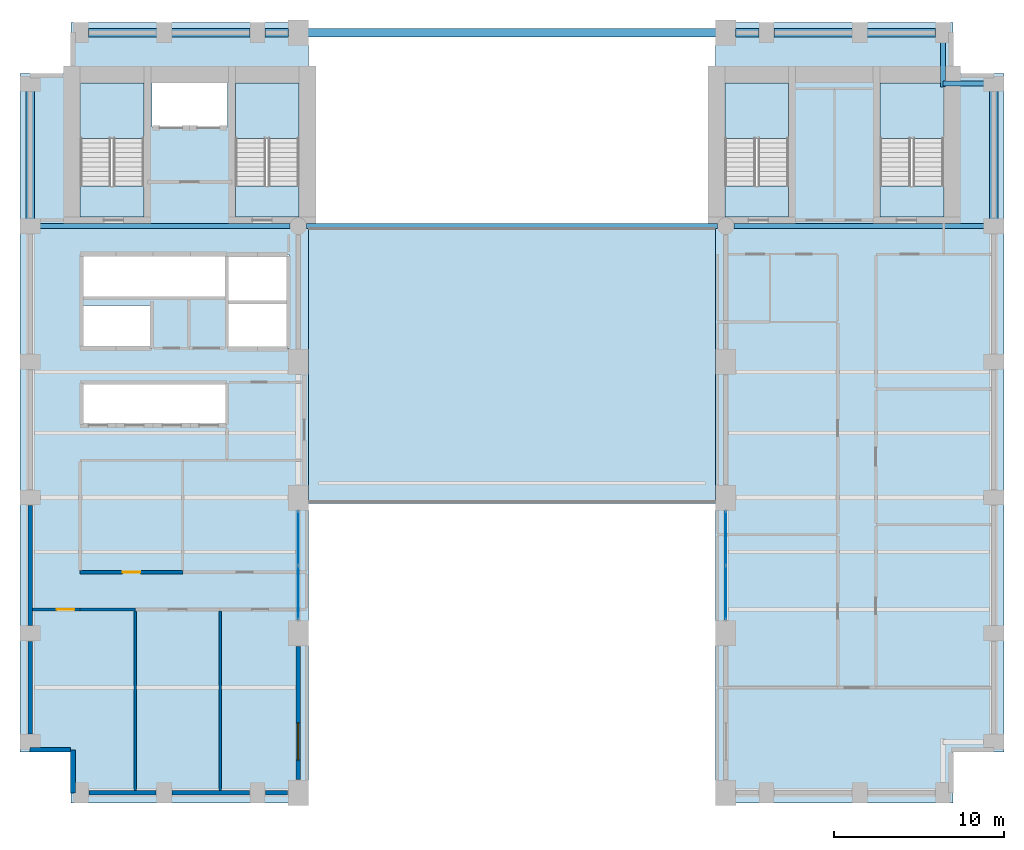
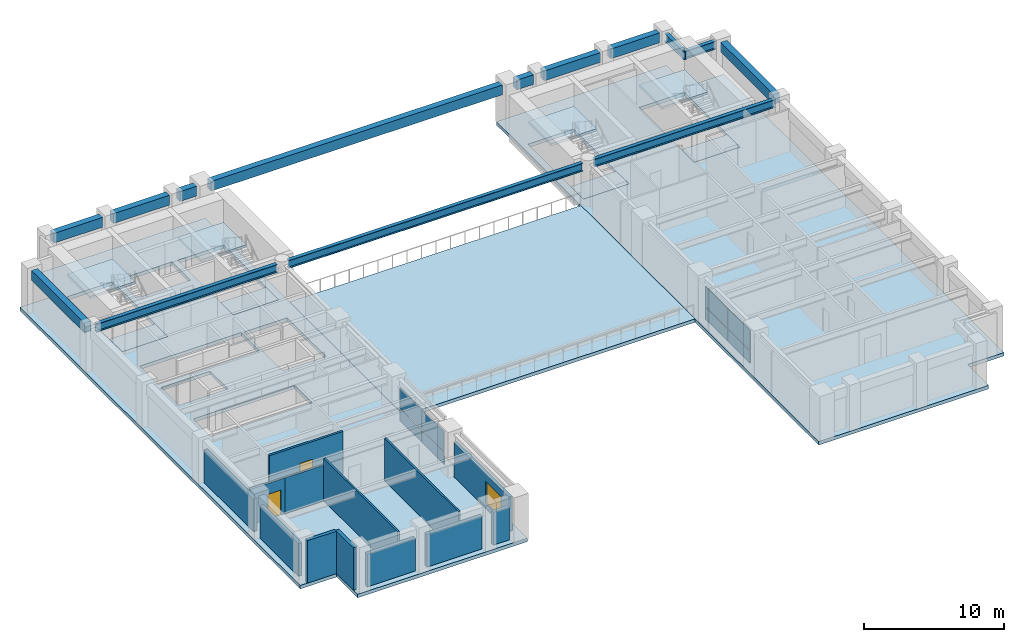
# One storey, part 4 of 12: 14 beams, 13 walls, 11 slabs, 8 plates, 2 doors, 1 window, 3 openings, 6 elements without a shape of their own.
"""IFC4 building model written with IfcOpenShell, lengths in metres."""

from ifc_helpers import new_model, si_unit, direction, frame, frame_2d, origin, origin_2d, place, context, subcontext, project, spatial, polyline, rectangle, i_section, outline, extrude, material, layer, layer_set, material_profile, profile_set, type_object, element, fill, aggregate, save


model = new_model("IFC4")

# Units and contexts
model_context = context("Model", 3, precision=1e-05, world=origin(), true_north=direction((0.0, 1.0)))
body_context = subcontext(model_context, "Body", "Model", "MODEL_VIEW")
ifc_project = project(units=[si_unit("LENGTHUNIT", "METRE"), si_unit("AREAUNIT", "SQUARE_METRE"), si_unit("VOLUMEUNIT", "CUBIC_METRE"), si_unit("PLANEANGLEUNIT", "RADIAN"), si_unit("MASSUNIT", "GRAM", prefix="KILO")], contexts=[model_context])

# Site, building, storey
site_placement = place(None, origin())
site = spatial("IfcSite", under=ifc_project, at=site_placement, CompositionType="ELEMENT")
building_placement = place(site_placement, origin())
building = spatial("IfcBuilding", under=site, at=building_placement, Name="Sulina Concourse Tower", CompositionType="ELEMENT")
storey_placement = place(building_placement, frame((0.0, 0.0, 38.60009765625)))
storey = spatial("IfcBuildingStorey", under=building, at=storey_placement, Name="L09", CompositionType="ELEMENT", Elevation=38.60009765625)

# Beams
ifc_material_1 = material(Name="Steel S355", Category="steel")
ifc_material_profile_1 = material_profile(ifc_material_1, i_section(OverallWidth=0.300048828125, OverallDepth=0.699951171875, WebThickness=0.01708984375, FlangeThickness=0.031982421875, at=origin_2d()), Name="HE 700 B")
ifc_profile_set_1 = profile_set([ifc_material_profile_1], Name="Steel S355")
beam_type_1 = type_object("IfcBeamType", Name="Floor Primary Girder Zone 1 HE700B", PredefinedType="BEAM", material=ifc_profile_set_1)
beam_1_placement = place(storey_placement, frame((54.39990234375, 42.39990234375, 3.349853515625), z_axis=(1.0, 0.0, 0.0), x_axis=(0.0, 1.0, 0.0)))
element("IfcBeam", 1, at=beam_1_placement, inside=storey, type_object=beam_type_1, Name="TIE-NE-L09", PredefinedType="BEAM", context=body_context, shape_type="SweptSolid", body=[
    extrude(i_section(OverallWidth=0.300048828125, OverallDepth=0.699951171875, WebThickness=0.01708984375, FlangeThickness=0.031982421875, at=origin_2d()), origin(), (0.0, 0.0, 1.0), 2.570068359375),
])
beam_2_placement = place(storey_placement, frame((54.39990234375, 42.199951171875, 3.349853515625), z_axis=(0.0, 1.0, 0.0), x_axis=(-1.0, 0.0, 0.0)))
element("IfcBeam", 2, at=beam_2_placement, inside=storey, type_object=beam_type_1, Name="TIE-NEN-L09", PredefinedType="BEAM", context=body_context, shape_type="SweptSolid", body=[
    extrude(i_section(OverallWidth=0.300048828125, OverallDepth=0.699951171875, WebThickness=0.01708984375, FlangeThickness=0.031982421875, at=origin_2d()), origin(), (0.0, 0.0, 1.0), 2.77001953125),
])
beam_3_placement = place(storey_placement, frame((1.030029296875, 34.0, 3.349853515625), z_axis=(1.0, 0.0, 0.0), x_axis=(0.0, 1.0, 0.0)))
element("IfcBeam", 3, at=beam_3_placement, inside=storey, type_object=beam_type_1, Name="FG-EWN1-L09", PredefinedType="BEAM", context=body_context, shape_type="SweptSolid", body=[
    extrude(i_section(OverallWidth=0.300048828125, OverallDepth=0.699951171875, WebThickness=0.01708984375, FlangeThickness=0.031982421875, at=origin_2d()), origin(), (0.0, 0.0, 1.0), 14.889892578125),
])
beam_4_placement = place(storey_placement, frame((16.8798828125, 34.0, 3.349853515625), z_axis=(1.0, 0.0, 0.0), x_axis=(0.0, 1.0, 0.0)))
element("IfcBeam", 4, at=beam_4_placement, inside=storey, type_object=beam_type_1, Name="FG-EWN2-L09", PredefinedType="BEAM", context=body_context, shape_type="SweptSolid", body=[
    extrude(i_section(OverallWidth=0.300048828125, OverallDepth=0.699951171875, WebThickness=0.01708984375, FlangeThickness=0.031982421875, at=origin_2d()), origin(), (0.0, 0.0, 1.0), 24.240234375),
])
beam_5_placement = place(storey_placement, frame((42.080078125, 34.0, 3.349853515625), z_axis=(1.0, 0.0, 0.0), x_axis=(0.0, 1.0, 0.0)))
element("IfcBeam", 5, at=beam_5_placement, inside=storey, type_object=beam_type_1, Name="FG-EWN3-L09", PredefinedType="BEAM", context=body_context, shape_type="SweptSolid", body=[
    extrude(i_section(OverallWidth=0.300048828125, OverallDepth=0.699951171875, WebThickness=0.01708984375, FlangeThickness=0.031982421875, at=origin_2d()), origin(), (0.0, 0.0, 1.0), 14.889892578125),
])
ifc_material_2 = material(Name="Precast concrete C50/60", Category="concrete")
ifc_material_profile_2 = material_profile(ifc_material_2, rectangle(XDim=0.5, YDim=0.85009765625, at=origin_2d()), Name="RC 500x850")
ifc_profile_set_2 = profile_set([ifc_material_profile_2], Name="Precast concrete C50/60")
beam_type_2 = type_object("IfcBeamType", Name="Lower Precast Spandrel Edge Beam 500x850", PredefinedType="BEAM", material=ifc_profile_set_2)
beam_6_placement = place(storey_placement, frame((4.030029296875, 45.39990234375, 3.27490234375), z_axis=(1.0, 0.0, 0.0), x_axis=(0.0, 1.0, 0.0)))
element("IfcBeam", 6, at=beam_6_placement, inside=storey, type_object=beam_type_2, Name="SP-N1-L09", PredefinedType="BEAM", context=body_context, shape_type="SweptSolid", body=[
    extrude(rectangle(XDim=0.5, YDim=0.85009765625, at=origin_2d()), origin(), (0.0, 0.0, 1.0), 4.0400390625),
])
beam_7_placement = place(storey_placement, frame((8.929931640625, 45.39990234375, 3.27490234375), z_axis=(1.0, 0.0, 0.0), x_axis=(0.0, 1.0, 0.0)))
element("IfcBeam", 7, at=beam_7_placement, inside=storey, type_object=beam_type_2, Name="SP-N2-L09", PredefinedType="BEAM", context=body_context, shape_type="SweptSolid", body=[
    extrude(rectangle(XDim=0.5, YDim=0.85009765625, at=origin_2d()), origin(), (0.0, 0.0, 1.0), 4.64013671875),
])
beam_8_placement = place(storey_placement, frame((14.429931640625, 45.39990234375, 3.27490234375), z_axis=(1.0, 0.0, 0.0), x_axis=(0.0, 1.0, 0.0)))
element("IfcBeam", 8, at=beam_8_placement, inside=storey, type_object=beam_type_2, Name="SP-N3-L09", PredefinedType="BEAM", context=body_context, shape_type="SweptSolid", body=[
    extrude(rectangle(XDim=0.5, YDim=0.85009765625, at=origin_2d()), origin(), (0.0, 0.0, 1.0), 1.39013671875),
])
beam_9_placement = place(storey_placement, frame((16.97998046875, 45.39990234375, 3.27490234375), z_axis=(1.0, 0.0, 0.0), x_axis=(0.0, 1.0, 0.0)))
element("IfcBeam", 9, at=beam_9_placement, inside=storey, type_object=beam_type_2, Name="SP-N4-L09", PredefinedType="BEAM", context=body_context, shape_type="SweptSolid", body=[
    extrude(rectangle(XDim=0.5, YDim=0.85009765625, at=origin_2d()), origin(), (0.0, 0.0, 1.0), 24.0400390625),
])
beam_10_placement = place(storey_placement, frame((42.179931640625, 45.39990234375, 3.27490234375), z_axis=(1.0, 0.0, 0.0), x_axis=(0.0, 1.0, 0.0)))
element("IfcBeam", 10, at=beam_10_placement, inside=storey, type_object=beam_type_2, Name="SP-N5-L09", PredefinedType="BEAM", context=body_context, shape_type="SweptSolid", body=[
    extrude(rectangle(XDim=0.5, YDim=0.85009765625, at=origin_2d()), origin(), (0.0, 0.0, 1.0), 1.39013671875),
])
beam_11_placement = place(storey_placement, frame((44.429931640625, 45.39990234375, 3.27490234375), z_axis=(1.0, 0.0, 0.0), x_axis=(0.0, 1.0, 0.0)))
element("IfcBeam", 11, at=beam_11_placement, inside=storey, type_object=beam_type_2, Name="SP-N6-L09", PredefinedType="BEAM", context=body_context, shape_type="SweptSolid", body=[
    extrude(rectangle(XDim=0.5, YDim=0.85009765625, at=origin_2d()), origin(), (0.0, 0.0, 1.0), 4.64013671875),
])
beam_12_placement = place(storey_placement, frame((49.929931640625, 45.39990234375, 3.27490234375), z_axis=(1.0, 0.0, 0.0), x_axis=(0.0, 1.0, 0.0)))
element("IfcBeam", 12, at=beam_12_placement, inside=storey, type_object=beam_type_2, Name="SP-N7-L09", PredefinedType="BEAM", context=body_context, shape_type="SweptSolid", body=[
    extrude(rectangle(XDim=0.5, YDim=0.85009765625, at=origin_2d()), origin(), (0.0, 0.0, 1.0), 4.0400390625),
])
for number, where, z_axis, x_axis, name in (
    (13, (0.60009765625, 34.429931640625, 3.27490234375), (0.0, 1.0, 0.0), (-1.0, 0.0, 0.0), "SP-W5-L09"),
    (14, (57.39990234375, 34.429931640625, 3.27490234375), (0.0, 1.0, 0.0), (-1.0, 0.0, 0.0), "SP-E5-L09"),
):
    element("IfcBeam", number, at=place(storey_placement, frame(where, z_axis=z_axis, x_axis=x_axis)), inside=storey, type_object=beam_type_2, Name=name, PredefinedType="BEAM", context=body_context, shape_type="SweptSolid", body=[
        extrude(rectangle(XDim=0.5, YDim=0.85009765625, at=origin_2d()), origin(), (0.0, 0.0, 1.0), 7.5400390625),
    ])

# Slabs
ifc_material_3 = material(Name="Concrete C50/60", Category="concrete")
ifc_layer_1 = layer(ifc_material_3, 0.300048828125)
ifc_layer_set_1 = layer_set([ifc_layer_1], Name="Concrete C50/60")
slab_type_1 = type_object("IfcSlabType", Name="Low-Rise Composite Floor Slab 300mm", PredefinedType="FLOOR", material=ifc_layer_set_1)
slab_1_placement = place(storey_placement, frame((0.0, 0.0, -0.300048828125)))
element("IfcSlab", 15, at=slab_1_placement, inside=storey, type_object=slab_type_1, Name="L09 structural floor slab-P1", PredefinedType="FLOOR", context=body_context, shape_type="SweptSolid", body=[
    extrude(outline(polyline([(3.0, 0.0), (17.0, 0.0), (17.0, 46.0), (3.0, 46.0), (3.0, 43.0), (0.0, 43.0), (0.0, 3.0), (3.0, 3.0), (3.0, 0.0)]), holes=[polyline([(7.31005859375, 34.550048828125), (7.31005859375, 42.429931640625), (3.550048828125, 42.429931640625), (3.550048828125, 34.550048828125), (7.31005859375, 34.550048828125)]), polyline([(16.449951171875, 34.550048828125), (16.449951171875, 42.429931640625), (12.68994140625, 42.429931640625), (12.68994140625, 34.550048828125), (16.449951171875, 34.550048828125)]), polyline([(7.780029296875, 39.830078125), (12.219970703125, 39.830078125), (12.219970703125, 42.449951171875), (7.780029296875, 42.449951171875), (7.780029296875, 39.830078125)]), polyline([(3.739990234375, 26.780029296875), (7.77001953125, 26.780029296875), (7.77001953125, 29.320068359375), (3.739990234375, 29.320068359375), (3.739990234375, 26.780029296875)]), polyline([(3.739990234375, 29.780029296875), (12.10009765625, 29.780029296875), (12.10009765625, 32.3701171875), (3.739990234375, 32.3701171875), (3.739990234375, 29.780029296875)]), polyline([(3.739990234375, 22.280029296875), (12.10009765625, 22.280029296875), (12.10009765625, 24.77001953125), (3.739990234375, 24.77001953125), (3.739990234375, 22.280029296875)]), polyline([(12.280029296875, 26.780029296875), (15.85009765625, 26.780029296875), (15.85009765625, 32.320068359375), (12.280029296875, 32.320068359375), (12.280029296875, 26.780029296875)])]), origin(), (0.0, 0.0, 1.0), 0.300048828125),
])
slab_2_placement = place(storey_placement, frame((0.0, 0.0, -0.300048828125)))
element("IfcSlab", 16, at=slab_2_placement, inside=storey, type_object=slab_type_1, Name="L09 structural floor slab-P2", PredefinedType="FLOOR", context=body_context, shape_type="SweptSolid", body=[
    extrude(outline(polyline([(41.0, 0.0), (55.0, 0.0), (55.0, 3.0), (58.0, 3.0), (58.0, 43.0), (55.0, 43.0), (55.0, 46.0), (41.0, 46.0), (41.0, 0.0)]), holes=[polyline([(45.31005859375, 34.550048828125), (45.31005859375, 42.429931640625), (41.550048828125, 42.429931640625), (41.550048828125, 34.550048828125), (45.31005859375, 34.550048828125)]), polyline([(54.449951171875, 34.550048828125), (54.449951171875, 42.429931640625), (50.68994140625, 42.429931640625), (50.68994140625, 34.550048828125), (54.449951171875, 34.550048828125)])]), origin(), (0.0, 0.0, 1.0), 0.300048828125),
])
ifc_material_4 = material(Name="Precast concrete C50/60", Category="concrete")
ifc_layer_2 = layer(ifc_material_4, 0.300048828125)
ifc_layer_set_2 = layer_set([ifc_layer_2], Name="Precast concrete C50/60")
slab_type_2 = type_object("IfcSlabType", Name="Lower Portal Flush Planted Terrace Slab 300mm", PredefinedType="FLOOR", material=ifc_layer_set_2)
slab_3_placement = place(storey_placement, frame((0.0, 0.0, -0.300048828125)))
element("IfcSlab", 17, at=slab_3_placement, inside=storey, type_object=slab_type_2, Name="L09 outdoor terrace slab TER-LP3", PredefinedType="FLOOR", context=body_context, shape_type="SweptSolid", body=[
    extrude(outline(polyline([(17.0, 17.64990234375), (41.0, 17.64990234375), (41.0, 33.949951171875), (17.0, 33.949951171875), (17.0, 17.64990234375)])), origin(), (0.0, 0.0, 1.0), 0.300048828125),
])

# Curtain wall, plates
ifc_material_5 = material(Name="Anodised bronze aluminium", Category="aluminium")
ifc_layer_3 = layer(ifc_material_5, 0.219970703125)
ifc_layer_set_3 = layer_set([ifc_layer_3], Name="Anodised bronze aluminium")
curtain_wall_type = type_object("IfcCurtainWallType", Name="Lower Terraced Portal Curtain Wall System", PredefinedType="NOTDEFINED", material=ifc_layer_set_3)
curtain_wall_1_placement = place(storey_placement, origin())
curtain_wall_1 = element("IfcCurtainWall", 18, at=curtain_wall_1_placement, inside=storey, type_object=curtain_wall_type, Name="L09 glazed curtain wall PW2", PredefinedType="NOTDEFINED")
ifc_material_6 = material(Name="Low-E solar portal glazing", Category="glass")
ifc_layer_4 = layer(ifc_material_6, 0.031982421875)
ifc_layer_set_4 = layer_set([ifc_layer_4], Name="Low-E solar portal glazing")
plate_type = type_object("IfcPlateType", Name="Lower Terraced Portal Curtain Wall System Glazed Panel 32mm", PredefinedType="CURTAIN_PANEL", material=ifc_layer_set_4)
plate_1_placement = place(storey_placement, frame((16.39990234375, 15.597412109375, 0.06982421875), z_axis=(0.0, 0.0, 1.0), x_axis=(0.0, -1.0, 0.0)))
plate_1 = element("IfcPlate", 19, at=plate_1_placement, type_object=plate_type, Name="CW-02 panel 1.1", PredefinedType="CURTAIN_PANEL", context=body_context, shape_type="SweptSolid", body=[
    extrude(rectangle(XDim=3.125, YDim=0.031982421875, at=origin_2d()), origin(), (0.0, 0.0, 1.0), 1.034912109375),
])
plate_2_placement = place(storey_placement, frame((16.39990234375, 15.597412109375, 1.175048828125), z_axis=(0.0, 0.0, 1.0), x_axis=(0.0, -1.0, 0.0)))
plate_2 = element("IfcPlate", 20, at=plate_2_placement, type_object=plate_type, Name="CW-02 panel 1.2", PredefinedType="CURTAIN_PANEL", context=body_context, shape_type="SweptSolid", body=[
    extrude(rectangle(XDim=3.125, YDim=0.031982421875, at=origin_2d()), origin(), (0.0, 0.0, 1.0), 1.7548828125),
])
plate_3_placement = place(storey_placement, frame((16.39990234375, 12.402587890625, 0.06982421875), z_axis=(0.0, 0.0, 1.0), x_axis=(0.0, -1.0, 0.0)))
plate_3 = element("IfcPlate", 21, at=plate_3_placement, type_object=plate_type, Name="CW-02 panel 2.1", PredefinedType="CURTAIN_PANEL", context=body_context, shape_type="SweptSolid", body=[
    extrude(rectangle(XDim=3.125, YDim=0.031982421875, at=origin_2d()), origin(), (0.0, 0.0, 1.0), 1.034912109375),
])
plate_4_placement = place(storey_placement, frame((16.39990234375, 12.402587890625, 1.175048828125), z_axis=(0.0, 0.0, 1.0), x_axis=(0.0, -1.0, 0.0)))
plate_4 = element("IfcPlate", 22, at=plate_4_placement, type_object=plate_type, Name="CW-02 panel 2.2", PredefinedType="CURTAIN_PANEL", context=body_context, shape_type="SweptSolid", body=[
    extrude(rectangle(XDim=3.125, YDim=0.031982421875, at=origin_2d()), origin(), (0.0, 0.0, 1.0), 1.7548828125),
])
aggregate(curtain_wall_1, [plate_1, plate_2, plate_3, plate_4])

curtain_wall_2_placement = place(storey_placement, origin())
curtain_wall_2 = element("IfcCurtainWall", 23, at=curtain_wall_2_placement, inside=storey, type_object=curtain_wall_type, Name="L09 glazed curtain wall PE2", PredefinedType="NOTDEFINED")
plate_5_placement = place(storey_placement, frame((41.60009765625, 12.402587890625, 0.06982421875), z_axis=(0.0, 0.0, 1.0), x_axis=(0.0, 1.0, 0.0)))
plate_5 = element("IfcPlate", 24, at=plate_5_placement, type_object=plate_type, Name="CW-02 panel 1.1", PredefinedType="CURTAIN_PANEL", context=body_context, shape_type="SweptSolid", body=[
    extrude(rectangle(XDim=3.125, YDim=0.031982421875, at=origin_2d()), origin(), (0.0, 0.0, 1.0), 1.034912109375),
])
plate_6_placement = place(storey_placement, frame((41.60009765625, 12.402587890625, 1.175048828125), z_axis=(0.0, 0.0, 1.0), x_axis=(0.0, 1.0, 0.0)))
plate_6 = element("IfcPlate", 25, at=plate_6_placement, type_object=plate_type, Name="CW-02 panel 1.2", PredefinedType="CURTAIN_PANEL", context=body_context, shape_type="SweptSolid", body=[
    extrude(rectangle(XDim=3.125, YDim=0.031982421875, at=origin_2d()), origin(), (0.0, 0.0, 1.0), 1.7548828125),
])
plate_7_placement = place(storey_placement, frame((41.60009765625, 15.597412109375, 0.06982421875), z_axis=(0.0, 0.0, 1.0), x_axis=(0.0, 1.0, 0.0)))
plate_7 = element("IfcPlate", 26, at=plate_7_placement, type_object=plate_type, Name="CW-02 panel 2.1", PredefinedType="CURTAIN_PANEL", context=body_context, shape_type="SweptSolid", body=[
    extrude(rectangle(XDim=3.125, YDim=0.031982421875, at=origin_2d()), origin(), (0.0, 0.0, 1.0), 1.034912109375),
])
plate_8_placement = place(storey_placement, frame((41.60009765625, 15.597412109375, 1.175048828125), z_axis=(0.0, 0.0, 1.0), x_axis=(0.0, 1.0, 0.0)))
plate_8 = element("IfcPlate", 27, at=plate_8_placement, type_object=plate_type, Name="CW-02 panel 2.2", PredefinedType="CURTAIN_PANEL", context=body_context, shape_type="SweptSolid", body=[
    extrude(rectangle(XDim=3.125, YDim=0.031982421875, at=origin_2d()), origin(), (0.0, 0.0, 1.0), 1.7548828125),
])
aggregate(curtain_wall_2, [plate_5, plate_6, plate_7, plate_8])

# Slabs
ifc_material_7 = material(Name="Concrete C50/60", Category="concrete")
ifc_layer_5 = layer(ifc_material_7, 0.199951171875)
ifc_layer_set_5 = layer_set([ifc_layer_5], Name="Concrete C50/60")
slab_type_3 = type_object("IfcSlabType", Name="Primary Core Stair Landing Slab 200mm", PredefinedType="LANDING", material=ifc_layer_set_5)
slab_4_placement = place(storey_placement, frame((0.0, 0.0, -0.2001953125)))
element("IfcSlab", 28, at=slab_4_placement, inside=storey, type_object=slab_type_3, Name="L09 ST-1 floor landing slab", PredefinedType="LANDING", context=body_context, shape_type="SweptSolid", body=[
    extrude(outline(polyline([(7.31005859375, 34.550048828125), (7.31005859375, 36.375), (3.550048828125, 36.375), (3.550048828125, 34.550048828125), (7.31005859375, 34.550048828125)])), origin(), (0.0, 0.0, 1.0), 0.2001953125),
])
slab_5_placement = place(storey_placement, frame((0.0, 0.0, -0.2001953125)))
element("IfcSlab", 29, at=slab_5_placement, inside=storey, type_object=slab_type_3, Name="L09 ST-2 floor landing slab", PredefinedType="LANDING", context=body_context, shape_type="SweptSolid", body=[
    extrude(outline(polyline([(16.449951171875, 34.550048828125), (16.449951171875, 36.375), (12.68994140625, 36.375), (12.68994140625, 34.550048828125), (16.449951171875, 34.550048828125)])), origin(), (0.0, 0.0, 1.0), 0.2001953125),
])
slab_6_placement = place(storey_placement, frame((0.0, 0.0, -0.2001953125)))
element("IfcSlab", 30, at=slab_6_placement, inside=storey, type_object=slab_type_3, Name="L09 ST-3 floor landing slab", PredefinedType="LANDING", context=body_context, shape_type="SweptSolid", body=[
    extrude(outline(polyline([(45.31005859375, 34.550048828125), (45.31005859375, 36.375), (41.550048828125, 36.375), (41.550048828125, 34.550048828125), (45.31005859375, 34.550048828125)])), origin(), (0.0, 0.0, 1.0), 0.2001953125),
])
slab_7_placement = place(storey_placement, frame((0.0, 0.0, -0.2001953125)))
element("IfcSlab", 31, at=slab_7_placement, inside=storey, type_object=slab_type_3, Name="L09 ST-4 floor landing slab", PredefinedType="LANDING", context=body_context, shape_type="SweptSolid", body=[
    extrude(outline(polyline([(54.449951171875, 34.550048828125), (54.449951171875, 36.375), (50.68994140625, 36.375), (50.68994140625, 34.550048828125), (54.449951171875, 34.550048828125)])), origin(), (0.0, 0.0, 1.0), 0.2001953125),
])

# Stair, slab
ifc_material_8 = material(Name="Concrete C50/60", Category="concrete")
stair_type_1 = type_object("IfcStairType", Name="Primary Core Dog-Leg Exit Stair 1800mm", PredefinedType="HALF_TURN_STAIR", material=ifc_material_8)
stair_1_placement = place(storey_placement, origin())
stair_1 = element("IfcStair", 32, at=stair_1_placement, inside=storey, type_object=stair_type_1, Name="L09 ST-1", PredefinedType="HALF_TURN_STAIR")
slab_8_placement = place(storey_placement, frame((0.0, 0.0, 1.7998046875)))
slab_8 = element("IfcSlab", 33, at=slab_8_placement, type_object=slab_type_3, Name="ST-1 landing 1", PredefinedType="LANDING", context=body_context, shape_type="SweptSolid", body=[
    extrude(outline(polyline([(7.304931640625, 39.175048828125), (7.304931640625, 42.425048828125), (3.554931640625, 42.425048828125), (3.554931640625, 39.175048828125), (7.304931640625, 39.175048828125)])), origin(), (0.0, 0.0, 1.0), 0.2001953125),
])
aggregate(stair_1, [slab_8])

stair_2_placement = place(storey_placement, origin())
stair_2 = element("IfcStair", 34, at=stair_2_placement, inside=storey, type_object=stair_type_1, Name="L09 ST-2", PredefinedType="HALF_TURN_STAIR")
slab_9_placement = place(storey_placement, frame((0.0, 0.0, 1.7998046875)))
slab_9 = element("IfcSlab", 35, at=slab_9_placement, type_object=slab_type_3, Name="ST-2 landing 1", PredefinedType="LANDING", context=body_context, shape_type="SweptSolid", body=[
    extrude(outline(polyline([(16.445068359375, 39.175048828125), (16.445068359375, 42.425048828125), (12.695068359375, 42.425048828125), (12.695068359375, 39.175048828125), (16.445068359375, 39.175048828125)])), origin(), (0.0, 0.0, 1.0), 0.2001953125),
])
aggregate(stair_2, [slab_9])

ifc_material_9 = material(Name="Concrete C50/60", Category="concrete")
stair_type_2 = type_object("IfcStairType", Name="Portal & Podium Core Exit Stair 1820mm", PredefinedType="HALF_TURN_STAIR", material=ifc_material_9)
stair_3_placement = place(storey_placement, origin())
stair_3 = element("IfcStair", 36, at=stair_3_placement, inside=storey, type_object=stair_type_2, Name="L09 ST-3", PredefinedType="HALF_TURN_STAIR")
slab_10_placement = place(storey_placement, frame((0.0, 0.0, 1.7998046875)))
slab_10 = element("IfcSlab", 37, at=slab_10_placement, type_object=slab_type_3, Name="ST-3 landing 1", PredefinedType="LANDING", context=body_context, shape_type="SweptSolid", body=[
    extrude(outline(polyline([(45.304931640625, 39.175048828125), (45.304931640625, 42.425048828125), (41.554931640625, 42.425048828125), (41.554931640625, 39.175048828125), (45.304931640625, 39.175048828125)])), origin(), (0.0, 0.0, 1.0), 0.2001953125),
])
aggregate(stair_3, [slab_10])

stair_4_placement = place(storey_placement, origin())
stair_4 = element("IfcStair", 38, at=stair_4_placement, inside=storey, type_object=stair_type_2, Name="L09 ST-4", PredefinedType="HALF_TURN_STAIR")
slab_11_placement = place(storey_placement, frame((0.0, 0.0, 1.7998046875)))
slab_11 = element("IfcSlab", 39, at=slab_11_placement, type_object=slab_type_3, Name="ST-4 landing 1", PredefinedType="LANDING", context=body_context, shape_type="SweptSolid", body=[
    extrude(outline(polyline([(54.445068359375, 39.175048828125), (54.445068359375, 42.425048828125), (50.695068359375, 42.425048828125), (50.695068359375, 39.175048828125), (54.445068359375, 39.175048828125)])), origin(), (0.0, 0.0, 1.0), 0.2001953125),
])
aggregate(stair_4, [slab_11])

# Walls
ifc_material_10 = material(Name="Gypsum board on steel stud", Category="steel")
ifc_layer_6 = layer(ifc_material_10, 0.14990234375)
ifc_layer_set_6 = layer_set([ifc_layer_6], Name="Gypsum board on steel stud")
wall_type_1 = type_object("IfcWallType", Name="Inter-Tenancy Acoustic Partition 150mm", PredefinedType="PARTITIONING", material=ifc_layer_set_6)
for number, where, z_axis, x_axis, name in (
    (40, (6.800048828125, 0.739990234375, 0.0), (0.0, 0.0, 1.0), (0.0, 1.0, 0.0), "L09 interior partition 030"),
    (41, (11.800048828125, 0.739990234375, 0.0), (0.0, 0.0, 1.0), (0.0, 1.0, 0.0), "L09 interior partition 033"),
):
    element("IfcWall", number, at=place(storey_placement, frame(where, z_axis=z_axis, x_axis=x_axis)), inside=storey, type_object=wall_type_1, Name=name, PredefinedType="PARTITIONING", context=body_context, shape_type="SweptSolid", body=[
        extrude(rectangle(XDim=10.570068359375, YDim=0.14990234375, at=frame_2d((5.28515625, 0.0))), origin(), (0.0, 0.0, 1.0), 3.699951171875),
    ])

# Wall, opening, door
ifc_material_11 = material(Name="Gypsum board on steel stud", Category="steel")
ifc_layer_7 = layer(ifc_material_11, 0.179931640625)
ifc_layer_set_7 = layer_set([ifc_layer_7], Name="Gypsum board on steel stud")
wall_type_2 = type_object("IfcWallType", Name="Protected Corridor & Riser Partition 180mm", PredefinedType="PARTITIONING", material=ifc_layer_set_7)
wall_1_placement = place(storey_placement, frame((0.739990234375, 11.39990234375, 0.0), z_axis=(0.0, 0.0, 1.0), x_axis=(1.0, 0.0, 0.0)))
wall_1 = element("IfcWall", 42, at=wall_1_placement, inside=storey, type_object=wall_type_2, Name="L09 interior partition 004", PredefinedType="PARTITIONING", context=body_context, shape_type="SweptSolid", body=[
    extrude(rectangle(XDim=2.81005859375, YDim=0.179931640625, at=frame_2d((1.405029296875, 0.0))), origin(), (0.0, 0.0, 1.0), 3.094970703125),
])
opening_1_placement = place(wall_1_placement, frame((1.419921875, 0.0, 0.0)))
opening_1 = element("IfcOpeningElement", 43, at=opening_1_placement, cuts=wall_1, Name="Opening DR-37", PredefinedType="OPENING", context=body_context, shape_type="SweptSolid", body=[
    extrude(rectangle(XDim=1.050048828125, YDim=2.14990234375, at=frame_2d((0.52490234375, 1.074951171875))), frame((0.0, 0.099853515625, 0.0), z_axis=(0.0, -1.0, 0.0), x_axis=(1.0, 0.0, 0.0)), (0.0, 0.0, 1.0), 0.199951171875),
])
ifc_material_12 = material(Name="Oak-veneered fire door leaf")
ifc_layer_8 = layer(ifc_material_12, 0.050048828125)
ifc_layer_set_8 = layer_set([ifc_layer_8], Name="Oak-veneered fire door leaf")
door_type = type_object("IfcDoorType", Name="Tenant Suite Entrance Fire Door 1050x2150", OperationType="NOTDEFINED", PredefinedType="DOOR", material=ifc_layer_set_8)
door_1_placement = place(opening_1_placement, origin())
door_1 = element("IfcDoor", 44, at=door_1_placement, inside=storey, type_object=door_type, Name="L09 interior door L09-STD-W1", OperationType="SINGLE_SWING_RIGHT", OverallHeight=2.14990234375, OverallWidth=1.050048828125, PredefinedType="DOOR", context=body_context, shape_type="SweptSolid", body=[
    extrude(rectangle(XDim=1.050048828125, YDim=2.14990234375, at=frame_2d((0.52490234375, 1.074951171875))), frame((0.0, 0.02490234375, 0.0), z_axis=(0.0, -1.0, 0.0), x_axis=(1.0, 0.0, 0.0)), (0.0, 0.0, 1.0), 0.050048828125),
])
fill(opening_1, door_1)

# Wall
wall_2_placement = place(storey_placement, frame((3.550048828125, 11.39990234375, 0.0), z_axis=(0.0, 0.0, 1.0), x_axis=(1.0, 0.0, 0.0)))
element("IfcWall", 45, at=wall_2_placement, inside=storey, type_object=wall_type_2, Name="L09 interior partition 005", PredefinedType="PARTITIONING", context=body_context, shape_type="SweptSolid", body=[
    extrude(rectangle(XDim=3.25, YDim=0.179931640625, at=frame_2d((1.625, 0.0))), origin(), (0.0, 0.0, 1.0), 3.094970703125),
])

# Wall, opening, door
wall_3_placement = place(storey_placement, frame((3.550048828125, 13.60009765625, 0.0), z_axis=(0.0, 0.0, 1.0), x_axis=(1.0, 0.0, 0.0)))
wall_3 = element("IfcWall", 46, at=wall_3_placement, inside=storey, type_object=wall_type_2, Name="L09 interior partition 008", PredefinedType="PARTITIONING", context=body_context, shape_type="SweptSolid", body=[
    extrude(rectangle(XDim=6.050048828125, YDim=0.179931640625, at=frame_2d((3.02490234375, 0.0))), origin(), (0.0, 0.0, 1.0), 3.699951171875),
])
opening_2_placement = place(wall_3_placement, frame((2.5, 0.0, 0.0)))
opening_2 = element("IfcOpeningElement", 47, at=opening_2_placement, cuts=wall_3, Name="Opening DR-37", PredefinedType="OPENING", context=body_context, shape_type="SweptSolid", body=[
    extrude(rectangle(XDim=1.050048828125, YDim=2.14990234375, at=frame_2d((0.52490234375, 1.074951171875))), frame((0.0, 0.099853515625, 0.0), z_axis=(0.0, -1.0, 0.0), x_axis=(1.0, 0.0, 0.0)), (0.0, 0.0, 1.0), 0.199951171875),
])
door_2_placement = place(opening_2_placement, origin())
door_2 = element("IfcDoor", 48, at=door_2_placement, inside=storey, type_object=door_type, Name="L09 interior door L09-PNT-W1", OperationType="SINGLE_SWING_LEFT", OverallHeight=2.14990234375, OverallWidth=1.050048828125, PredefinedType="DOOR", context=body_context, shape_type="SweptSolid", body=[
    extrude(rectangle(XDim=1.050048828125, YDim=2.14990234375, at=frame_2d((0.52490234375, 1.074951171875))), frame((0.0, 0.02490234375, 0.0), z_axis=(0.0, -1.0, 0.0), x_axis=(1.0, 0.0, 0.0)), (0.0, 0.0, 1.0), 0.050048828125),
])
fill(opening_2, door_2)

# Walls
ifc_material_13 = material(Name="Precast concrete C50/60", Category="concrete")
ifc_layer_9 = layer(ifc_material_13, 0.280029296875)
ifc_layer_set_9 = layer_set([ifc_layer_9], Name="Precast concrete C50/60")
wall_type_3 = type_object("IfcWallType", Name="Typical Precast Masonry-Frame Facade Wall 280mm", PredefinedType="SOLIDWALL", material=ifc_layer_set_9)
wall_4_placement = place(storey_placement, frame((8.030029296875, 0.60009765625, 0.0), z_axis=(0.0, 0.0, 1.0), x_axis=(-1.0, 0.0, 0.0)))
element("IfcWall", 49, at=wall_4_placement, inside=storey, type_object=wall_type_3, Name="L09 exterior precast wall S1", PredefinedType="SOLIDWALL", context=body_context, shape_type="SweptSolid", body=[
    extrude(rectangle(XDim=3.9599609375, YDim=0.280029296875, at=frame_2d((1.97998046875, 0.0))), origin(), (0.0, 0.0, 1.0), 2.849853515625),
])
wall_5_placement = place(storey_placement, frame((13.530029296875, 0.60009765625, 0.0), z_axis=(0.0, 0.0, 1.0), x_axis=(-1.0, 0.0, 0.0)))
element("IfcWall", 50, at=wall_5_placement, inside=storey, type_object=wall_type_3, Name="L09 exterior precast wall S2", PredefinedType="SOLIDWALL", context=body_context, shape_type="SweptSolid", body=[
    extrude(rectangle(XDim=4.56005859375, YDim=0.280029296875, at=frame_2d((2.280029296875, 0.0))), origin(), (0.0, 0.0, 1.0), 2.849853515625),
])
wall_6_placement = place(storey_placement, frame((15.780029296875, 0.60009765625, 0.0), z_axis=(0.0, 0.0, 1.0), x_axis=(-1.0, 0.0, 0.0)))
element("IfcWall", 51, at=wall_6_placement, inside=storey, type_object=wall_type_3, Name="L09 exterior precast wall S3", PredefinedType="SOLIDWALL", context=body_context, shape_type="SweptSolid", body=[
    extrude(rectangle(XDim=1.31005859375, YDim=0.280029296875, at=frame_2d((0.655029296875, 0.0))), origin(), (0.0, 0.0, 1.0), 2.849853515625),
])
wall_7_placement = place(storey_placement, frame((0.60009765625, 4.070068359375, 0.0), z_axis=(0.0, 0.0, 1.0), x_axis=(0.0, 1.0, 0.0)))
element("IfcWall", 52, at=wall_7_placement, inside=storey, type_object=wall_type_3, Name="L09 exterior precast wall W1", PredefinedType="SOLIDWALL", context=body_context, shape_type="SweptSolid", body=[
    extrude(rectangle(XDim=5.4599609375, YDim=0.280029296875, at=frame_2d((2.72998046875, 0.0))), origin(), (0.0, 0.0, 1.0), 2.849853515625),
])
wall_8_placement = place(storey_placement, frame((0.60009765625, 10.469970703125, 0.0), z_axis=(0.0, 0.0, 1.0), x_axis=(0.0, 1.0, 0.0)))
element("IfcWall", 53, at=wall_8_placement, inside=storey, type_object=wall_type_3, Name="L09 exterior precast wall W2", PredefinedType="SOLIDWALL", context=body_context, shape_type="SweptSolid", body=[
    extrude(rectangle(XDim=7.06005859375, YDim=0.280029296875, at=frame_2d((3.530029296875, 0.0))), origin(), (0.0, 0.0, 1.0), 2.849853515625),
])
wall_9_placement = place(storey_placement, frame((3.1298828125, 0.60009765625, 0.0), z_axis=(0.0, 0.0, 1.0), x_axis=(0.0, 1.0, 0.0)))
element("IfcWall", 54, at=wall_9_placement, inside=storey, type_object=wall_type_3, Name="L09 exterior precast wall CSW1", PredefinedType="SOLIDWALL", context=body_context, shape_type="SweptSolid", body=[
    extrude(rectangle(XDim=2.52978515625, YDim=0.280029296875, at=frame_2d((1.264892578125, 0.0))), origin(), (0.0, 0.0, 1.0), 3.699951171875),
])
wall_10_placement = place(storey_placement, frame((2.985107421875, 3.1298828125, 0.0), z_axis=(0.0, 0.0, 1.0), x_axis=(-1.0, 0.0, 0.0)))
element("IfcWall", 55, at=wall_10_placement, inside=storey, type_object=wall_type_3, Name="L09 exterior precast wall CSW2", PredefinedType="SOLIDWALL", context=body_context, shape_type="SweptSolid", body=[
    extrude(rectangle(XDim=2.385009765625, YDim=0.280029296875, at=frame_2d((1.1923828125, 0.0))), origin(), (0.0, 0.0, 1.0), 3.699951171875),
])

# Wall, opening, window
wall_11_placement = place(storey_placement, frame((16.39990234375, 9.22998046875, 0.0), z_axis=(0.0, 0.0, 1.0), x_axis=(0.0, -1.0, 0.0)))
wall_11 = element("IfcWall", 56, at=wall_11_placement, inside=storey, type_object=wall_type_3, Name="L09 exterior precast wall PW1", PredefinedType="SOLIDWALL", context=body_context, shape_type="SweptSolid", body=[
    extrude(rectangle(XDim=7.85986328125, YDim=0.280029296875, at=frame_2d((3.929931640625, 0.0))), origin(), (0.0, 0.0, 1.0), 3.0),
])
opening_3_placement = place(wall_11_placement, frame((4.506591796875, 0.0, 0.419921875)))
opening_3 = element("IfcOpeningElement", 57, at=opening_3_placement, cuts=wall_11, Name="Opening WN-76", PredefinedType="OPENING", context=body_context, shape_type="SweptSolid", body=[
    extrude(rectangle(XDim=2.199951171875, YDim=1.949951171875, at=frame_2d((1.10009765625, 0.97509765625))), frame((0.0, 0.14990234375, 0.0), z_axis=(0.0, -1.0, 0.0), x_axis=(1.0, 0.0, 0.0)), (0.0, 0.0, 1.0), 0.300048828125),
])
ifc_material_14 = material(Name="Low-E solar double glazing in bronze aluminium", Category="aluminium")
window_type = type_object("IfcWindowType", Name="Recessed Spandrel Window 2200x1950", PartitioningType="DOUBLE_PANEL_VERTICAL", PredefinedType="WINDOW", material=ifc_material_14)
window_placement = place(opening_3_placement, origin())
window = element("IfcWindow", 58, at=window_placement, inside=storey, type_object=window_type, Name="L09 punched window PW1-1", OverallHeight=1.949951171875, OverallWidth=2.199951171875, PartitioningType="SINGLE_PANEL", PredefinedType="WINDOW", context=body_context, shape_type="SweptSolid", body=[
    extrude(rectangle(XDim=2.199951171875, YDim=1.949951171875, at=frame_2d((1.10009765625, 0.97509765625))), frame((0.0, 0.030029296875, 0.0), z_axis=(0.0, -1.0, 0.0), x_axis=(1.0, 0.0, 0.0)), (0.0, 0.0, 1.0), 0.06005859375),
])
fill(opening_3, window)

save(model, "model.ifc")
